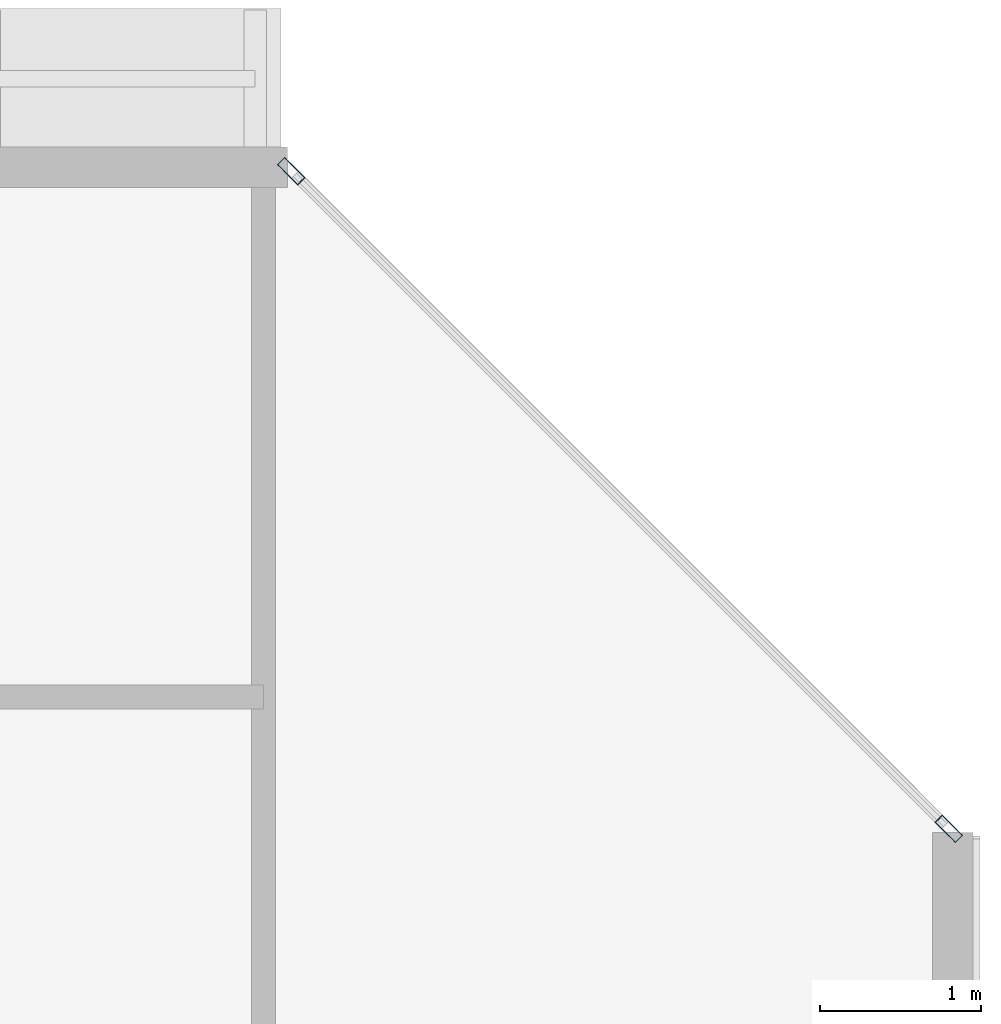
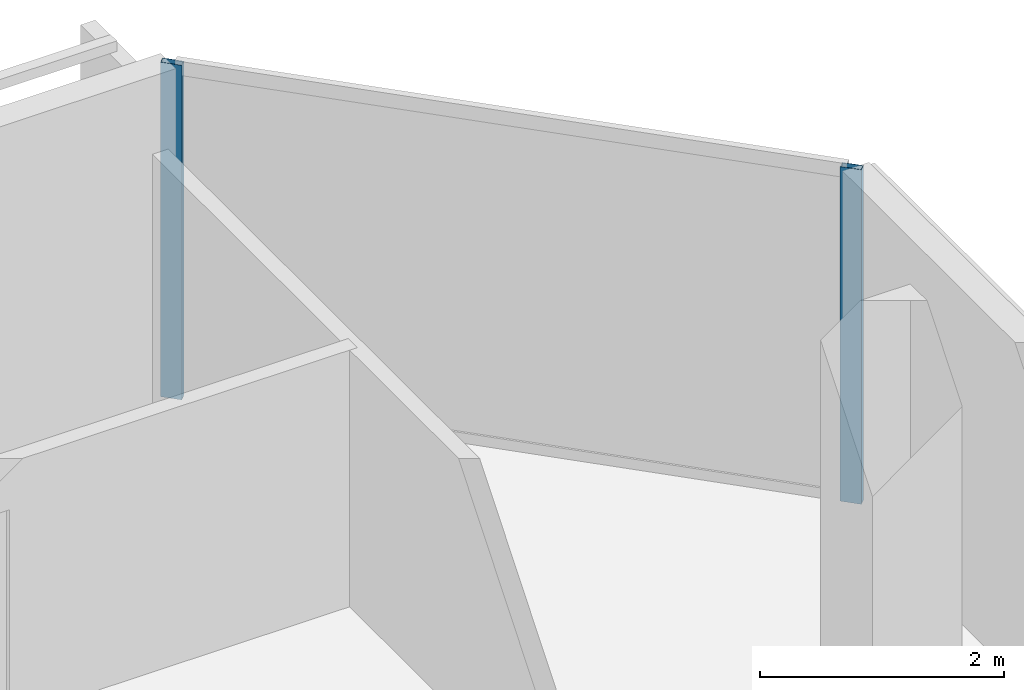
# One storey, part 17 of 31: 2 members, 1 element without a shape of its own.
"""IFC4 building model written with IfcOpenShell, lengths in metres."""

from ifc_helpers import new_model, si_unit, direction, frame, origin, origin_2d, place, context, subcontext, project, spatial, hollow_rectangle, extrude, material, layer, layer_set, material_profile, profile_set, type_object, element, aggregate, save


model = new_model("IFC4")

# Units and contexts
model_context = context("Model", 3, precision=1e-05, world=origin(), true_north=direction((0.0, 1.0)))
body_context = subcontext(model_context, "Body", "Model", "MODEL_VIEW")
ifc_project = project(units=[si_unit("LENGTHUNIT", "METRE"), si_unit("AREAUNIT", "SQUARE_METRE"), si_unit("VOLUMEUNIT", "CUBIC_METRE"), si_unit("PLANEANGLEUNIT", "RADIAN"), si_unit("MASSUNIT", "GRAM", prefix="KILO")], contexts=[model_context])

# Site, building, storey
site_placement = place(None, origin())
site = spatial("IfcSite", under=ifc_project, at=site_placement, CompositionType="ELEMENT")
building_placement = place(site_placement, origin())
building = spatial("IfcBuilding", under=site, at=building_placement, Name="Tanjung Sevakor Pilgrim Tower", CompositionType="ELEMENT")
storey_placement = place(building_placement, frame((0.0, 0.0, 169.2900390625)))
storey = spatial("IfcBuildingStorey", under=building, at=storey_placement, Name="L47", CompositionType="ELEMENT", Elevation=169.2900390625)

# Curtain wall, members
ifc_material_1 = material(Name="Aluminium 6063-T6 and Low-E Glass", Category="aluminium")
ifc_layer = layer(ifc_material_1, 0.179931640625)
ifc_layer_set = layer_set([ifc_layer], Name="CW-SYS-CHAM")
curtain_wall_type = type_object("IfcCurtainWallType", Name="CW-SYS-CHAM", PredefinedType="NOTDEFINED", material=ifc_layer_set)
curtain_wall_placement = place(storey_placement, origin())
curtain_wall = element("IfcCurtainWall", 1, at=curtain_wall_placement, inside=storey, type_object=curtain_wall_type, Name="L47 Curtain Wall CW-CHM-L47-MAIN-7", PredefinedType="NOTDEFINED")
ifc_material_2 = material(Name="Aluminium 6063-T6", Category="aluminium")
ifc_material_profile = material_profile(ifc_material_2, hollow_rectangle(XDim=0.06494140625, YDim=0.179931640625, WallThickness=0.00390625, at=origin_2d()))
ifc_profile_set = profile_set([ifc_material_profile], Name="Aluminium 6063-T6")
member_type = type_object("IfcMemberType", Name="TYPE-CWM-1", PredefinedType="MULLION", material=ifc_profile_set)
member_1_placement = place(storey_placement, frame((99.85205078125, 51.0712890625, 0.0), z_axis=(0.0, 0.0, 1.0), x_axis=(-0.707106781187, -0.707106781187, 0.0)))
member_1 = element("IfcMember", 2, at=member_1_placement, type_object=member_type, Name="CW-CHM mullion 1", PredefinedType="MULLION", context=body_context, shape_type="SweptSolid", body=[
    extrude(hollow_rectangle(XDim=0.06494140625, YDim=0.179931640625, WallThickness=0.00390625, at=origin_2d()), origin(), (0.0, 0.0, 1.0), 3.349853515625),
])
member_2_placement = place(storey_placement, frame((95.771240234375, 55.152099609375, 0.0), z_axis=(0.0, 0.0, 1.0), x_axis=(-0.707106781187, -0.707106781187, 0.0)))
member_2 = element("IfcMember", 3, at=member_2_placement, type_object=member_type, Name="CW-CHM mullion 2", PredefinedType="MULLION", context=body_context, shape_type="SweptSolid", body=[
    extrude(hollow_rectangle(XDim=0.06494140625, YDim=0.179931640625, WallThickness=0.00390625, at=origin_2d()), origin(), (0.0, 0.0, 1.0), 3.349853515625),
])
aggregate(curtain_wall, [member_1, member_2])

save(model, "model.ifc")
